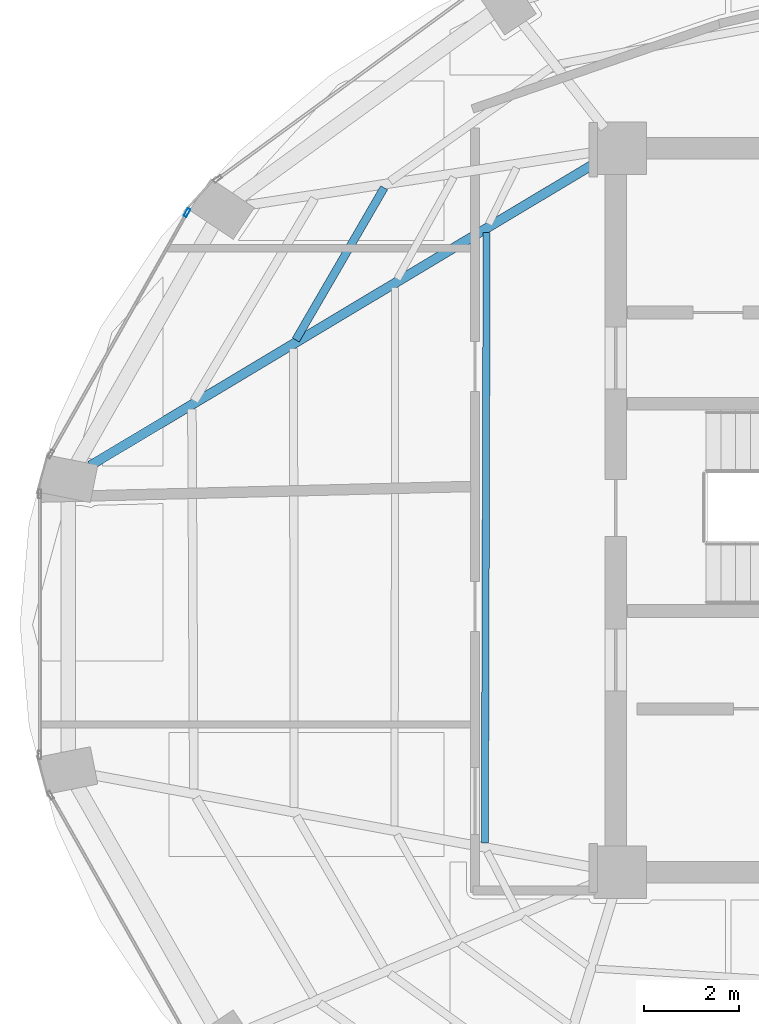
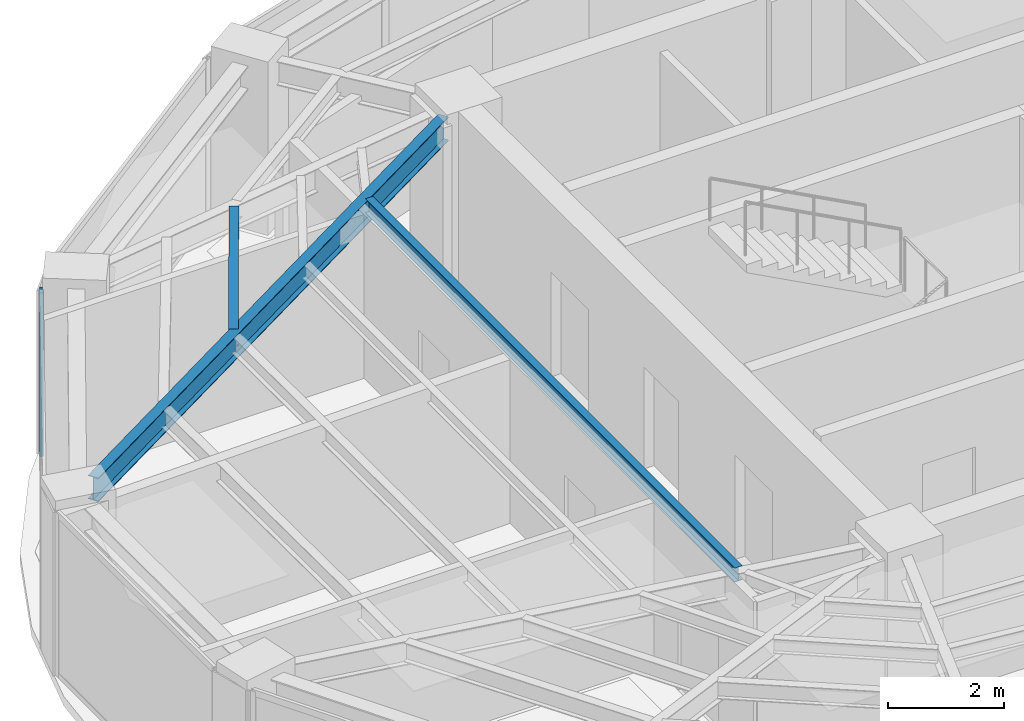
# One storey, part 9 of 23: 3 beams, 1 member, 1 element without a shape of its own.
"""IFC4 building model written with IfcOpenShell, lengths in metres."""

from ifc_helpers import new_model, si_unit, direction, frame, origin, origin_2d, place, context, subcontext, project, spatial, hollow_rectangle, i_section, extrude, material, layer, layer_set, material_profile, profile_set, type_object, element, aggregate, save


model = new_model("IFC4")

# Units and contexts
model_context = context("Model", 3, precision=1e-05, world=origin(), true_north=direction((0.0, 1.0)))
body_context = subcontext(model_context, "Body", "Model", "MODEL_VIEW")
ifc_project = project(units=[si_unit("LENGTHUNIT", "METRE"), si_unit("AREAUNIT", "SQUARE_METRE"), si_unit("VOLUMEUNIT", "CUBIC_METRE"), si_unit("PLANEANGLEUNIT", "RADIAN"), si_unit("MASSUNIT", "GRAM", prefix="KILO")], contexts=[model_context])

# Site, building, storey
site_placement = place(None, origin())
site = spatial("IfcSite", under=ifc_project, at=site_placement, CompositionType="ELEMENT")
building_placement = place(site_placement, origin())
building = spatial("IfcBuilding", under=site, at=building_placement, Name="Lazwardi Medical Tower", CompositionType="ELEMENT")
storey_placement = place(building_placement, frame((0.0, 0.0, 234.9599609375)))
storey = spatial("IfcBuildingStorey", under=building, at=storey_placement, Name="L61", CompositionType="ELEMENT", Elevation=234.9599609375)

# Beams
ifc_material_1 = material(Name="Steel S355", Category="steel")
ifc_material_profile_1 = material_profile(ifc_material_1, i_section(OverallWidth=0.199951171875, OverallDepth=0.5, WebThickness=0.01025390625, FlangeThickness=0.01611328125, at=origin_2d()), Name="IPE 500")
ifc_profile_set_1 = profile_set([ifc_material_profile_1], Name="Steel S355")
beam_type_1 = type_object("IfcBeamType", Name="BM-RG-W3", PredefinedType="BEAM", material=ifc_profile_set_1)
beam_1_placement = place(storey_placement, frame((15.27392578125, 28.937744140625, 3.197998046875), z_axis=(0.857944804603, 0.513741873176, 0.0), x_axis=(-0.513741873176, 0.857944804603, 0.0)))
element("IfcBeam", 1, at=beam_1_placement, inside=storey, type_object=beam_type_1, Name="Radial girder RG-04 R12 L61", PredefinedType="BEAM", context=body_context, shape_type="SweptSolid", body=[
    extrude(i_section(OverallWidth=0.199951171875, OverallDepth=0.5, WebThickness=0.01025390625, FlangeThickness=0.01611328125, at=origin_2d()), origin(), (0.0, 0.0, 1.0), 12.43310546875),
])
ifc_material_profile_2 = material_profile(ifc_material_1, i_section(OverallWidth=0.169921875, OverallDepth=0.360107421875, WebThickness=0.008056640625, FlangeThickness=0.0126953125, at=origin_2d()), Name="IPE 360")
ifc_profile_set_2 = profile_set([ifc_material_profile_2], Name="Steel S355")
beam_type_2 = type_object("IfcBeamType", Name="BM-SJ-02", PredefinedType="JOIST", material=ifc_profile_set_2)
beam_2_placement = place(storey_placement, frame((21.4423828125, 34.767578125, 3.26806640625), z_axis=(-0.50218018565, -0.864763008657, 0.0), x_axis=(0.864763008657, -0.50218018565, 0.0)))
element("IfcBeam", 2, at=beam_2_placement, inside=storey, type_object=beam_type_2, Name="Secondary joist SJ-02 R2 B11 L61", PredefinedType="JOIST", context=body_context, shape_type="SweptSolid", body=[
    extrude(i_section(OverallWidth=0.169921875, OverallDepth=0.360107421875, WebThickness=0.008056640625, FlangeThickness=0.0126953125, at=origin_2d()), origin(), (0.0, 0.0, 1.0), 3.69189453125),
])
ifc_material_profile_3 = material_profile(ifc_material_1, i_section(OverallWidth=0.14990234375, OverallDepth=0.300048828125, WebThickness=0.007080078125, FlangeThickness=0.0107421875, at=origin_2d()), Name="IPE 300")
ifc_profile_set_3 = profile_set([ifc_material_profile_3], Name="Steel S355")
beam_type_3 = type_object("IfcBeamType", Name="BM-SJ-03", PredefinedType="JOIST", material=ifc_profile_set_3)
beam_3_placement = place(storey_placement, frame((23.593994140625, 33.824951171875, 3.298095703125), z_axis=(-0.002897930673, -0.99999580099, 0.0), x_axis=(0.99999580099, -0.002897930673, 0.0)))
element("IfcBeam", 3, at=beam_3_placement, inside=storey, type_object=beam_type_3, Name="Secondary joist SJ-03 R4 B12 L61", PredefinedType="JOIST", context=body_context, shape_type="SweptSolid", body=[
    extrude(i_section(OverallWidth=0.14990234375, OverallDepth=0.300048828125, WebThickness=0.007080078125, FlangeThickness=0.0107421875, at=origin_2d()), origin(), (0.0, 0.0, 1.0), 12.805419921875),
])

# Curtain wall, member
ifc_material_2 = material(Name="Anodised bronze aluminium and solar control glazing", Category="aluminium")
ifc_layer = layer(ifc_material_2, 0.18994140625)
ifc_layer_set = layer_set([ifc_layer], Name="Anodised bronze aluminium and solar control glazing")
curtain_wall_type = type_object("IfcCurtainWallType", Name="CW-SYS-04", PredefinedType="NOTDEFINED", material=ifc_layer_set)
curtain_wall_placement = place(storey_placement, origin())
curtain_wall = element("IfcCurtainWall", 4, at=curtain_wall_placement, inside=storey, type_object=curtain_wall_type, Name="L61 Unitised bronze curtain wall CW-04", PredefinedType="NOTDEFINED")
ifc_material_3 = material(Name="Anodised bronze aluminium", Category="aluminium")
ifc_material_profile_4 = material_profile(ifc_material_3, hollow_rectangle(XDim=0.06494140625, YDim=0.179931640625, WallThickness=0.00390625, at=origin_2d()), Name="ALU-MULLION 180x65x4")
ifc_profile_set_4 = profile_set([ifc_material_profile_4], Name="Anodised bronze aluminium")
member_type = type_object("IfcMemberType", Name="CW-MUL-03", PredefinedType="MULLION", material=ifc_profile_set_4)
member_placement = place(storey_placement, frame((17.3056640625, 34.24560546875, 0.0), z_axis=(0.0, 0.0, 1.0), x_axis=(0.870651436011, -0.491900474661, 0.0)))
member = element("IfcMember", 5, at=member_placement, type_object=member_type, Name="CW-04 mullion 1", PredefinedType="MULLION", context=body_context, shape_type="SweptSolid", body=[
    extrude(hollow_rectangle(XDim=0.06494140625, YDim=0.179931640625, WallThickness=0.00390625, at=origin_2d()), origin(), (0.0, 0.0, 1.0), 3.447998046875),
])
aggregate(curtain_wall, [member])

save(model, "model.ifc")
